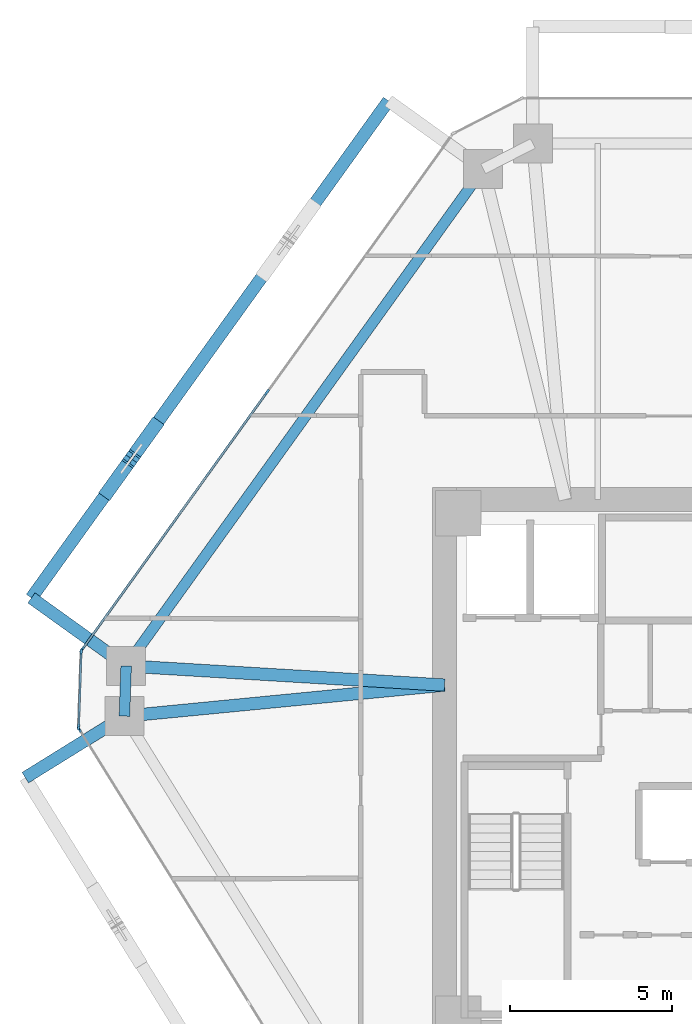
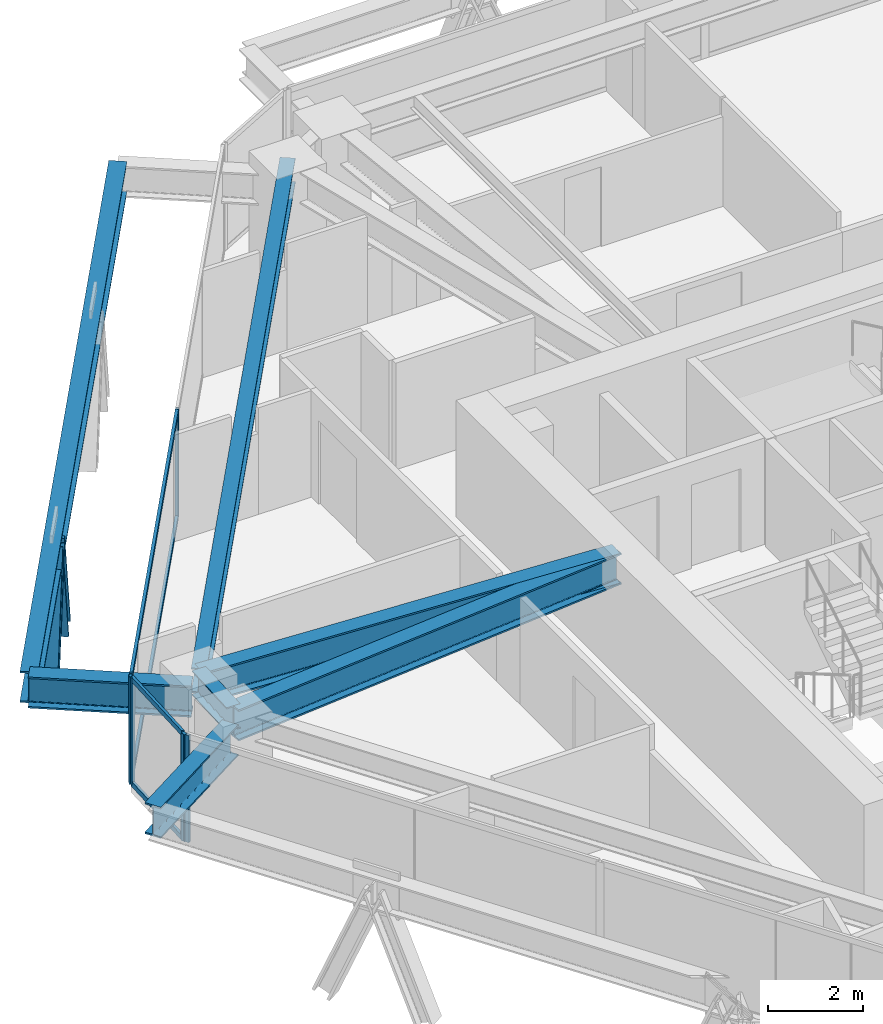
# One storey, part 4 of 17: 11 members, 7 beams, 3 elements without a shape of their own.
"""IFC4 building model written with IfcOpenShell, lengths in metres."""

from ifc_helpers import new_model, si_unit, direction, frame, origin, origin_2d, place, context, subcontext, project, spatial, rectangle, i_section, extrude, source, transform, mapped, material, layer, layer_set, material_profile, profile_set, type_object, type_shapes, element, aggregate, save


model = new_model("IFC4")

# Units and contexts
model_context = context("Model", 3, precision=1e-05, world=origin(), true_north=direction((0.0, 1.0)))
body_context = subcontext(model_context, "Body", "Model", "MODEL_VIEW")
ifc_project = project(units=[si_unit("LENGTHUNIT", "METRE"), si_unit("AREAUNIT", "SQUARE_METRE"), si_unit("VOLUMEUNIT", "CUBIC_METRE"), si_unit("PLANEANGLEUNIT", "RADIAN"), si_unit("MASSUNIT", "GRAM", prefix="KILO")], contexts=[model_context])

# Site, building, storey
site_placement = place(None, origin())
site = spatial("IfcSite", under=ifc_project, at=site_placement, CompositionType="ELEMENT")
building_placement = place(site_placement, origin())
building = spatial("IfcBuilding", under=site, at=building_placement, Name="Durnholm Broadcast Tower", CompositionType="ELEMENT")
storey_placement = place(building_placement, frame((0.0, 0.0, 137.10009765625)))
storey = spatial("IfcBuildingStorey", under=building, at=storey_placement, Name="L37", CompositionType="ELEMENT", Elevation=137.10009765625)

# Beams
ifc_material_1 = material(Name="Steel ASTM A992 Grade 50", Category="steel")
ifc_material_profile_1 = material_profile(ifc_material_1, i_section(OverallWidth=0.385009765625, OverallDepth=0.802978515625, WebThickness=0.023681640625, FlangeThickness=0.0419921875, FilletRadius=0.032958984375, at=origin_2d()), Name="W30X261")
ifc_profile_set_1 = profile_set([ifc_material_profile_1], Name="Steel ASTM A992 Grade 50")
beam_type_1 = type_object("IfcBeamType", Name="BM-EXO-TIE", PredefinedType="USERDEFINED", material=ifc_profile_set_1)
shared_shape_1 = source(origin(), body_context, "Body", "SweptSolid", [
    extrude(i_section(OverallWidth=0.385009765625, OverallDepth=0.802978515625, WebThickness=0.023681640625, FlangeThickness=0.0419921875, FilletRadius=0.032958984375, at=origin_2d()), origin(), (0.0, 0.0, 1.0), 3.4560546875),
])
for number, where, z_axis, x_axis, name in (
    (1, (-20.1669921875, 3.175048828125, 2.008544921875), (-0.812164951739, 0.583427880005, 0.0), (-0.583427880005, -0.812164951739, 0.0), "L37 exoskeleton stand-off tie bracket F5.2"),
    (2, (-20.22509765625, 1.465576171875, 2.008544921875), (-0.849795112316, -0.527113144481, 0.0), (0.527113144481, -0.849795112316, 0.0), "L37 exoskeleton stand-off tie bracket F6.1"),
):
    element("IfcBeam", number, at=place(storey_placement, frame(where, z_axis=z_axis, x_axis=x_axis)), inside=storey, type_object=beam_type_1, Name=name, ObjectType="GIRDER", PredefinedType="USERDEFINED", context=body_context, shape_type="MappedRepresentation", body=[
        mapped(shared_shape_1, transform((0.0, 0.0, 0.0), x_axis=(1.0, 0.0, 0.0), y_axis=(0.0, 1.0, 0.0), z_axis=(0.0, 0.0, 1.0), scale=1.0)),
    ])
ifc_material_profile_2 = material_profile(ifc_material_1, i_section(OverallWidth=0.3291015625, OverallDepth=0.635009765625, WebThickness=0.017822265625, FlangeThickness=0.031005859375, FilletRadius=0.02783203125, at=origin_2d()), Name="W24X162")
ifc_profile_set_2 = profile_set([ifc_material_profile_2], Name="Steel ASTM A992 Grade 50")
beam_type_2 = type_object("IfcBeamType", Name="STL-SP-W24X162", PredefinedType="SPANDREL", material=ifc_profile_set_2)
shared_shape_2 = source(origin(), body_context, "Body", "SweptSolid", [
    extrude(i_section(OverallWidth=0.3291015625, OverallDepth=0.635009765625, WebThickness=0.017822265625, FlangeThickness=0.031005859375, FilletRadius=0.02783203125, at=origin_2d()), origin(), (0.0, 0.0, 1.0), 1.550537109375),
])
beam_1_placement = place(storey_placement, frame((-20.102783203125, 1.54150390625, 2.427490234375), z_axis=(0.034012135923, 0.999421419928, 0.0), x_axis=(-0.999421419928, 0.034012135923, 0.0)))
element("IfcBeam", 3, at=beam_1_placement, inside=storey, type_object=beam_type_2, Name="L37 perimeter spandrel girder 02", PredefinedType="SPANDREL", context=body_context, shape_type="MappedRepresentation", body=[
    mapped(shared_shape_2, transform((0.0, 0.0, 0.0), x_axis=(1.0, 0.0, 0.0), y_axis=(0.0, 1.0, 0.0), z_axis=(0.0, 0.0, 1.0), scale=1.0)),
])
shared_shape_3 = source(origin(), body_context, "Body", "SweptSolid", [
    extrude(i_section(OverallWidth=0.3291015625, OverallDepth=0.635009765625, WebThickness=0.017822265625, FlangeThickness=0.031005859375, FilletRadius=0.02783203125, at=origin_2d()), origin(), (0.0, 0.0, 1.0), 18.884521484375),
])
type_shapes(beam_type_2, [shared_shape_2, shared_shape_3])
beam_2_placement = place(storey_placement, frame((-20.050048828125, 3.091064453125, 2.427490234375), z_axis=(0.583443434414, 0.812153777827, 0.0), x_axis=(-0.812153777827, 0.583443434414, 0.0)))
element("IfcBeam", 4, at=beam_2_placement, inside=storey, type_object=beam_type_2, Name="L37 perimeter spandrel girder 03", PredefinedType="SPANDREL", context=body_context, shape_type="MappedRepresentation", body=[
    mapped(shared_shape_3, transform((0.0, 0.0, 0.0), x_axis=(1.0, 0.0, 0.0), y_axis=(0.0, 1.0, 0.0), z_axis=(0.0, 0.0, 1.0), scale=1.0)),
])
ifc_material_profile_3 = material_profile(ifc_material_1, i_section(OverallWidth=0.385009765625, OverallDepth=0.802978515625, WebThickness=0.023681640625, FlangeThickness=0.0419921875, FilletRadius=0.032958984375, at=origin_2d()), Name="W30X261")
ifc_profile_set_3 = profile_set([ifc_material_profile_3], Name="Steel ASTM A992 Grade 50")
beam_type_3 = type_object("IfcBeamType", Name="STL-GR-W30X261", PredefinedType="USERDEFINED", material=ifc_profile_set_3)
shared_shape_4 = source(origin(), body_context, "Body", "SweptSolid", [
    extrude(i_section(OverallWidth=0.385009765625, OverallDepth=0.802978515625, WebThickness=0.023681640625, FlangeThickness=0.0419921875, FilletRadius=0.032958984375, at=origin_2d()), origin(), (0.0, 0.0, 1.0), 9.924072265625),
])
beam_3_placement = place(storey_placement, frame((-10.22509765625, 2.5, 2.343505859375), z_axis=(-0.995324947968, -0.096582855378, 0.0), x_axis=(0.096582855378, -0.995324947968, 0.0)))
element("IfcBeam", 5, at=beam_3_placement, inside=storey, type_object=beam_type_3, Name="L37 radial primary floor girder 02", ObjectType="GIRDER", PredefinedType="USERDEFINED", context=body_context, shape_type="MappedRepresentation", body=[
    mapped(shared_shape_4, transform((0.0, 0.0, 0.0), x_axis=(1.0, 0.0, 0.0), y_axis=(0.0, 1.0, 0.0), z_axis=(0.0, 0.0, 1.0), scale=1.0)),
])
shared_shape_5 = source(origin(), body_context, "Body", "SweptSolid", [
    extrude(i_section(OverallWidth=0.385009765625, OverallDepth=0.802978515625, WebThickness=0.023681640625, FlangeThickness=0.0419921875, FilletRadius=0.032958984375, at=origin_2d()), origin(), (0.0, 0.0, 1.0), 9.8427734375),
])
type_shapes(beam_type_3, [shared_shape_4, shared_shape_5])
beam_4_placement = place(storey_placement, frame((-10.22509765625, 2.5, 2.343505859375), z_axis=(-0.998195312551, 0.0600509617, 0.0), x_axis=(-0.0600509617, -0.998195312551, 0.0)))
element("IfcBeam", 6, at=beam_4_placement, inside=storey, type_object=beam_type_3, Name="L37 radial primary floor girder 03", ObjectType="GIRDER", PredefinedType="USERDEFINED", context=body_context, shape_type="MappedRepresentation", body=[
    mapped(shared_shape_5, transform((0.0, 0.0, 0.0), x_axis=(1.0, 0.0, 0.0), y_axis=(0.0, 1.0, 0.0), z_axis=(0.0, 0.0, 1.0), scale=1.0)),
])
shared_shape_6 = source(origin(), body_context, "Body", "SweptSolid", [
    extrude(i_section(OverallWidth=0.385009765625, OverallDepth=0.802978515625, WebThickness=0.023681640625, FlangeThickness=0.0419921875, FilletRadius=0.032958984375, at=origin_2d()), origin(), (0.0, 0.0, 1.0), 18.884765625),
])
type_shapes(beam_type_1, [shared_shape_1, shared_shape_6])
beam_5_placement = place(storey_placement, frame((-11.955810546875, 20.52880859375, 2.008544921875), z_axis=(-0.583437308554, -0.812158178551, 0.0), x_axis=(0.812158178551, -0.583437308554, 0.0)))
element("IfcBeam", 7, at=beam_5_placement, inside=storey, type_object=beam_type_1, Name="L37 exoskeleton collector spandrel F5", PredefinedType="SPANDREL", context=body_context, shape_type="MappedRepresentation", body=[
    mapped(shared_shape_6, transform((0.0, 0.0, 0.0), x_axis=(1.0, 0.0, 0.0), y_axis=(0.0, 1.0, 0.0), z_axis=(0.0, 0.0, 1.0), scale=1.0)),
])

# Members
ifc_material_2 = material(Name="Steel ASTM A913 Grade 65", Category="steel")
ifc_material_profile_4 = material_profile(ifc_material_2, i_section(OverallWidth=0.41845703125, OverallDepth=0.455078125, WebThickness=0.0419921875, FlangeThickness=0.067626953125, FilletRadius=0.030517578125, at=origin_2d()), Name="W14X370")
ifc_profile_set_4 = profile_set([ifc_material_profile_4], Name="Steel ASTM A913 Grade 65")
member_type_1 = type_object("IfcMemberType", Name="STL-DG-W14X370", PredefinedType="BRACE", material=ifc_profile_set_4)
shared_shape_7 = source(origin(), body_context, "Body", "SweptSolid", [
    extrude(i_section(OverallWidth=0.41845703125, OverallDepth=0.455078125, WebThickness=0.0419921875, FlangeThickness=0.067626953125, FilletRadius=0.030517578125, at=origin_2d()), origin(), (0.0, 0.0, 1.0), 3.243896484375),
])
member_1_placement = place(storey_placement, frame((-19.1689453125, 10.488037109375, -0.991455078125), z_axis=(-0.221947394098, -0.308950170489, 0.924818439699), x_axis=(0.812153063014, -0.583444429434, 0.0)))
element("IfcMember", 8, at=member_1_placement, inside=storey, type_object=member_type_1, Name="L37 stand-off diagrid brace F5.D2.1", PredefinedType="BRACE", context=body_context, shape_type="MappedRepresentation", body=[
    mapped(shared_shape_7, transform((0.0, 0.0, 0.0), x_axis=(1.0, 0.0, 0.0), y_axis=(0.0, 1.0, 0.0), z_axis=(0.0, 0.0, 1.0), scale=1.0)),
])
shared_shape_8 = source(origin(), body_context, "Body", "SweptSolid", [
    extrude(i_section(OverallWidth=0.41845703125, OverallDepth=0.455078125, WebThickness=0.0419921875, FlangeThickness=0.067626953125, FilletRadius=0.030517578125, at=origin_2d()), origin(), (0.0, 0.0, 1.0), 3.24365234375),
])
type_shapes(member_type_1, [shared_shape_7, shared_shape_8])
member_2_placement = place(storey_placement, frame((-20.608642578125, 8.48388671875, -0.991455078125), z_axis=(0.22188099666, 0.308887249081, 0.924855389062), x_axis=(-0.812179469647, 0.583407669717, 0.0)))
element("IfcMember", 9, at=member_2_placement, inside=storey, type_object=member_type_1, Name="L37 stand-off diagrid brace F5.D2.2", PredefinedType="BRACE", context=body_context, shape_type="MappedRepresentation", body=[
    mapped(shared_shape_8, transform((0.0, 0.0, 0.0), x_axis=(1.0, 0.0, 0.0), y_axis=(0.0, 1.0, 0.0), z_axis=(0.0, 0.0, 1.0), scale=1.0)),
])

# Curtain wall, members
ifc_material_3 = material(Name="Aluminium and Solar Control IGU", Category="aluminium")
ifc_layer_1 = layer(ifc_material_3, 0.1650390625)
ifc_layer_set_1 = layer_set([ifc_layer_1], Name="Aluminium and Solar Control IGU")
curtain_wall_type_1 = type_object("IfcCurtainWallType", Name="CW-SYS-5", PredefinedType="NOTDEFINED", material=ifc_layer_set_1)
curtain_wall_1_placement = place(storey_placement, origin())
curtain_wall_1 = element("IfcCurtainWall", 10, at=curtain_wall_1_placement, inside=storey, type_object=curtain_wall_type_1, Name="L37 curtain wall CW-CORNER CW-L37-CRN-01", PredefinedType="NOTDEFINED")
ifc_material_4 = material(Name="Aluminium 6063-T6", Category="aluminium")
ifc_material_profile_5 = material_profile(ifc_material_4, rectangle(XDim=0.06494140625, YDim=0.1650390625, at=origin_2d()), Name="CWM65X165")
ifc_profile_set_5 = profile_set([ifc_material_profile_5], Name="Aluminium 6063-T6")
member_type_2 = type_object("IfcMemberType", Name="CW-SYS-5-MUL", PredefinedType="MULLION", material=ifc_profile_set_5)
shared_shape_9 = source(origin(), body_context, "Body", "SweptSolid", [
    extrude(rectangle(XDim=0.06494140625, YDim=0.1650390625, at=origin_2d()), origin(), (0.0, 0.0, 1.0), 2.760009765625),
])
type_shapes(member_type_2, [shared_shape_9])
member_3_placement = place(storey_placement, frame((-21.51513671875, 1.19677734375, 0.0), z_axis=(0.0, 0.0, 1.0), x_axis=(-0.999424655155, 0.033916937775, 0.0)))
member_3 = element("IfcMember", 11, at=member_3_placement, type_object=member_type_2, Name="CW-CORNER mullion 1", PredefinedType="MULLION", context=body_context, shape_type="MappedRepresentation", body=[
    mapped(shared_shape_9, transform((0.0, 0.0, 0.0), x_axis=(1.0, 0.0, 0.0), y_axis=(0.0, 1.0, 0.0), z_axis=(0.0, 0.0, 1.0), scale=1.0)),
])
member_4_placement = place(storey_placement, frame((-21.43603515625, 3.530517578125, 0.0), z_axis=(0.0, 0.0, 1.0), x_axis=(-0.999424655155, 0.033916937775, 0.0)))
member_4 = element("IfcMember", 12, at=member_4_placement, type_object=member_type_2, Name="CW-CORNER mullion 2", PredefinedType="MULLION", context=body_context, shape_type="MappedRepresentation", body=[
    mapped(shared_shape_9, transform((0.0, 0.0, 0.0), x_axis=(1.0, 0.0, 0.0), y_axis=(0.0, 1.0, 0.0), z_axis=(0.0, 0.0, 1.0), scale=1.0)),
])

ifc_layer_2 = layer(ifc_material_3, 0.18994140625)
ifc_layer_set_2 = layer_set([ifc_layer_2], Name="Aluminium and Solar Control IGU")
curtain_wall_type_2 = type_object("IfcCurtainWallType", Name="CW-SYS-3", PredefinedType="NOTDEFINED", material=ifc_layer_set_2)
curtain_wall_2_placement = place(storey_placement, origin())
curtain_wall_2 = element("IfcCurtainWall", 13, at=curtain_wall_2_placement, inside=storey, type_object=curtain_wall_type_2, Name="L37 curtain wall CW-Z12-VIS CW-L37-F02", PredefinedType="NOTDEFINED")
ifc_material_profile_6 = material_profile(ifc_material_4, rectangle(XDim=0.070068359375, YDim=0.18994140625, at=origin_2d()), Name="CWM70X190")
ifc_profile_set_6 = profile_set([ifc_material_profile_6], Name="Aluminium 6063-T6")
member_type_3 = type_object("IfcMemberType", Name="CW-SYS-3-MUL", PredefinedType="MULLION", material=ifc_profile_set_6)
shared_shape_10 = source(origin(), body_context, "Body", "SweptSolid", [
    extrude(rectangle(XDim=0.070068359375, YDim=0.18994140625, at=origin_2d()), origin(), (0.0, 0.0, 1.0), 2.760009765625),
])
type_shapes(member_type_3, [shared_shape_10])
member_5_placement = place(storey_placement, frame((-21.41455078125, 3.59130859375, 0.0), z_axis=(0.0, 0.0, 1.0), x_axis=(-0.812152312759, 0.583445473786, 0.0)))
member_5 = element("IfcMember", 14, at=member_5_placement, type_object=member_type_3, Name="CW-Z12-VIS mullion 1", PredefinedType="MULLION", context=body_context, shape_type="MappedRepresentation", body=[
    mapped(shared_shape_10, transform((0.0, 0.0, 0.0), x_axis=(1.0, 0.0, 0.0), y_axis=(0.0, 1.0, 0.0), z_axis=(0.0, 0.0, 1.0), scale=1.0)),
])
member_6_placement = place(storey_placement, frame((-15.703369140625, 11.541259765625, 0.0), z_axis=(0.0, 0.0, 1.0), x_axis=(-0.812152312759, 0.583445473786, 0.0)))
member_6 = element("IfcMember", 15, at=member_6_placement, type_object=member_type_3, Name="CW-Z12-VIS mullion 2", PredefinedType="MULLION", context=body_context, shape_type="MappedRepresentation", body=[
    mapped(shared_shape_10, transform((0.0, 0.0, 0.0), x_axis=(1.0, 0.0, 0.0), y_axis=(0.0, 1.0, 0.0), z_axis=(0.0, 0.0, 1.0), scale=1.0)),
])

# Curtain wall, member
curtain_wall_3_placement = place(storey_placement, origin())
curtain_wall_3 = element("IfcCurtainWall", 16, at=curtain_wall_3_placement, inside=storey, type_object=curtain_wall_type_2, Name="L37 curtain wall CW-Z12-VIS CW-L37-F12", PredefinedType="NOTDEFINED")
member_7_placement = place(storey_placement, frame((-21.497802734375, 1.134765625, 0.0), z_axis=(0.0, 0.0, 1.0), x_axis=(-0.849799925229, -0.527105385176, 0.0)))
member_7 = element("IfcMember", 17, at=member_7_placement, type_object=member_type_3, Name="CW-Z12-VIS mullion 3", PredefinedType="MULLION", context=body_context, shape_type="MappedRepresentation", body=[
    mapped(shared_shape_10, transform((0.0, 0.0, 0.0), x_axis=(1.0, 0.0, 0.0), y_axis=(0.0, 1.0, 0.0), z_axis=(0.0, 0.0, 1.0), scale=1.0)),
])
aggregate(curtain_wall_3, [member_7])

# Member
ifc_material_profile_7 = material_profile(ifc_material_4, rectangle(XDim=0.06494140625, YDim=0.1298828125, at=origin_2d()), Name="CWT65X130")
ifc_profile_set_7 = profile_set([ifc_material_profile_7], Name="Aluminium 6063-T6")
member_type_4 = type_object("IfcMemberType", Name="CW-SYS-5-TRN", PredefinedType="USERDEFINED", material=ifc_profile_set_7)
shared_shape_11 = source(origin(), body_context, "Body", "SweptSolid", [
    extrude(rectangle(XDim=0.06494140625, YDim=0.1298828125, at=origin_2d()), origin(), (0.0, 0.0, 1.0), 2.27001953125),
])
type_shapes(member_type_4, [shared_shape_11])
member_8_placement = place(storey_placement, frame((-21.51416015625, 1.229248046875, 0.032470703125), z_axis=(0.03398444704, 0.999422361847, 0.0), x_axis=(-0.999422361847, 0.03398444704, 0.0)))
member_8 = element("IfcMember", 18, at=member_8_placement, type_object=member_type_4, Name="CW-CORNER transom 1.1", ObjectType="TRANSOM", PredefinedType="USERDEFINED", context=body_context, shape_type="MappedRepresentation", body=[
    mapped(shared_shape_11, transform((0.0, 0.0, 0.0), x_axis=(1.0, 0.0, 0.0), y_axis=(0.0, 1.0, 0.0), z_axis=(0.0, 0.0, 1.0), scale=1.0)),
])

member_9_placement = place(storey_placement, frame((-21.51416015625, 1.229248046875, 2.727294921875), z_axis=(0.03398444704, 0.999422361847, 0.0), x_axis=(-0.999422361847, 0.03398444704, 0.0)))
member_9 = element("IfcMember", 19, at=member_9_placement, type_object=member_type_4, Name="CW-CORNER transom 1.2", ObjectType="TRANSOM", PredefinedType="USERDEFINED", context=body_context, shape_type="MappedRepresentation", body=[
    mapped(shared_shape_11, transform((0.0, 0.0, 0.0), x_axis=(1.0, 0.0, 0.0), y_axis=(0.0, 1.0, 0.0), z_axis=(0.0, 0.0, 1.0), scale=1.0)),
])

aggregate(curtain_wall_1, [member_3, member_4, member_8, member_9])

ifc_material_profile_8 = material_profile(ifc_material_4, rectangle(XDim=0.070068359375, YDim=0.14990234375, at=origin_2d()), Name="CWT70X150")
ifc_profile_set_8 = profile_set([ifc_material_profile_8], Name="Aluminium 6063-T6")
member_type_5 = type_object("IfcMemberType", Name="CW-SYS-3-TRN", PredefinedType="USERDEFINED", material=ifc_profile_set_8)
shared_shape_12 = source(origin(), body_context, "Body", "SweptSolid", [
    extrude(rectangle(XDim=0.070068359375, YDim=0.14990234375, at=origin_2d()), origin(), (0.0, 0.0, 1.0), 9.71875),
])
type_shapes(member_type_5, [shared_shape_12])
member_10_placement = place(storey_placement, frame((-21.39404296875, 3.619873046875, 0.034912109375), z_axis=(0.583450726174, 0.812148539448, 0.0), x_axis=(-0.812148539448, 0.583450726174, 0.0)))
member_10 = element("IfcMember", 20, at=member_10_placement, type_object=member_type_5, Name="CW-Z12-VIS transom 1.1", ObjectType="TRANSOM", PredefinedType="USERDEFINED", context=body_context, shape_type="MappedRepresentation", body=[
    mapped(shared_shape_12, transform((0.0, 0.0, 0.0), x_axis=(1.0, 0.0, 0.0), y_axis=(0.0, 1.0, 0.0), z_axis=(0.0, 0.0, 1.0), scale=1.0)),
])

member_11_placement = place(storey_placement, frame((-21.39404296875, 3.619873046875, 2.724853515625), z_axis=(0.583450726174, 0.812148539448, 0.0), x_axis=(-0.812148539448, 0.583450726174, 0.0)))
member_11 = element("IfcMember", 21, at=member_11_placement, type_object=member_type_5, Name="CW-Z12-VIS transom 1.2", ObjectType="TRANSOM", PredefinedType="USERDEFINED", context=body_context, shape_type="MappedRepresentation", body=[
    mapped(shared_shape_12, transform((0.0, 0.0, 0.0), x_axis=(1.0, 0.0, 0.0), y_axis=(0.0, 1.0, 0.0), z_axis=(0.0, 0.0, 1.0), scale=1.0)),
])

aggregate(curtain_wall_2, [member_5, member_6, member_10, member_11])

save(model, "model.ifc")
